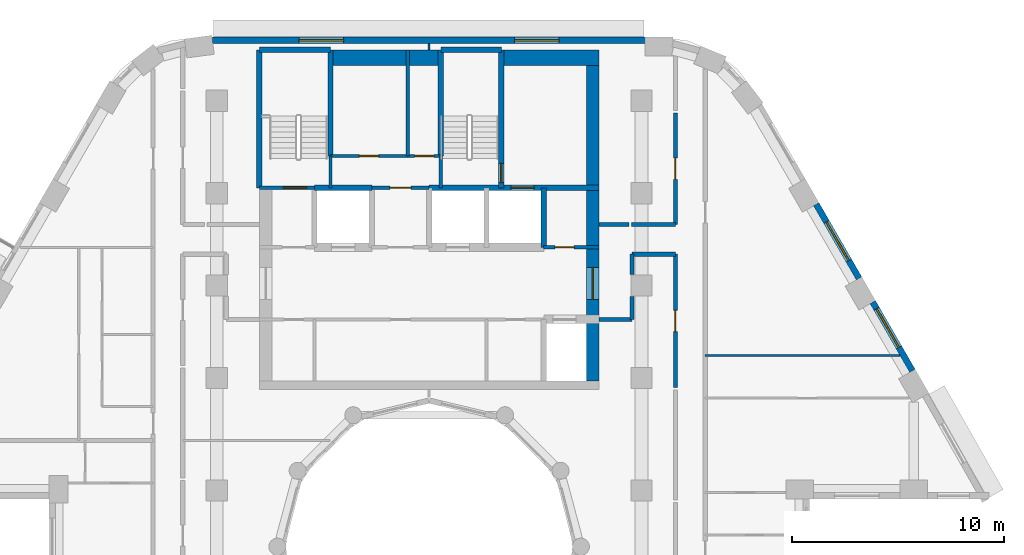
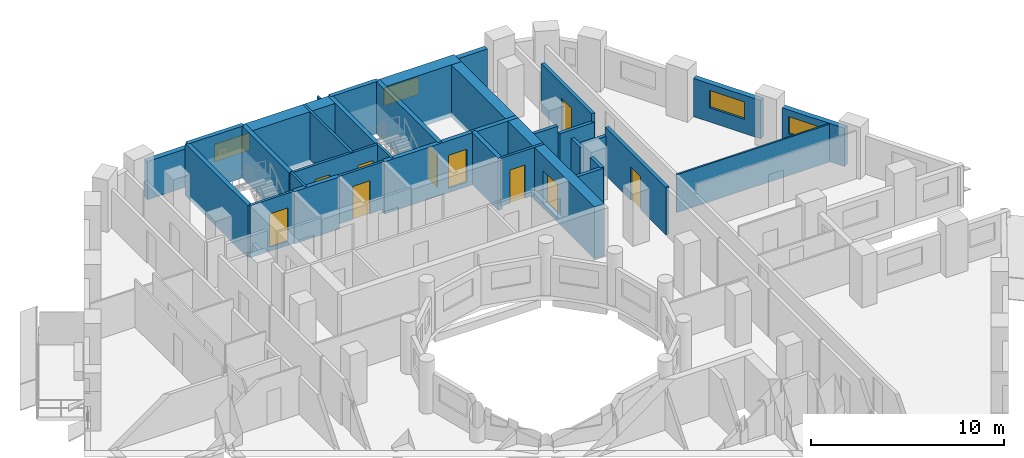
# One storey, part 8 of 13: 32 walls, 10 doors, 4 windows, 14 openings.
"""IFC4 building model written with IfcOpenShell, lengths in metres."""

from ifc_helpers import new_model, si_unit, direction, frame, frame_2d, origin, place, context, subcontext, project, spatial, rectangle, extrude, material, layer, layer_set, type_object, element, fill, save


model = new_model("IFC4")

# Units and contexts
model_context = context("Model", 3, precision=1e-05, world=origin(), true_north=direction((0.0, 1.0)))
body_context = subcontext(model_context, "Body", "Model", "MODEL_VIEW")
ifc_project = project(units=[si_unit("LENGTHUNIT", "METRE"), si_unit("AREAUNIT", "SQUARE_METRE"), si_unit("VOLUMEUNIT", "CUBIC_METRE"), si_unit("PLANEANGLEUNIT", "RADIAN"), si_unit("MASSUNIT", "GRAM", prefix="KILO")], contexts=[model_context])

# Site, building, storey
site_placement = place(None, origin())
site = spatial("IfcSite", under=ifc_project, at=site_placement, CompositionType="ELEMENT")
building_placement = place(site_placement, origin())
building = spatial("IfcBuilding", under=site, at=building_placement, Name="Nakaniwa Court", CompositionType="ELEMENT")
storey_placement = place(building_placement, frame((0.0, 0.0, 156.89990234375)))
storey = spatial("IfcBuildingStorey", under=building, at=storey_placement, Name="L41", CompositionType="ELEMENT", Elevation=156.89990234375)

# Wall, opening, door
ifc_material_1 = material(Name="Acoustic double stud partition")
ifc_layer_1 = layer(ifc_material_1, 0.199951171875)
ifc_layer_set_1 = layer_set([ifc_layer_1], Name="Acoustic double stud partition")
wall_type_1 = type_object("IfcWallType", Name="Acoustic double stud partition 200", PredefinedType="PARTITIONING", material=ifc_layer_set_1)
wall_1_placement = place(storey_placement, frame((91.60009765625, 87.4873046875, 0.0), z_axis=(0.0, 0.0, 1.0), x_axis=(0.0, 1.0, 0.0)))
wall_1 = element("IfcWall", 1, at=wall_1_placement, inside=storey, type_object=wall_type_1, Name="Partition PW-073", PredefinedType="PARTITIONING", context=body_context, shape_type="SweptSolid", body=[
    extrude(rectangle(XDim=6.28759765625, YDim=0.199951171875, at=frame_2d((3.143798828125, 0.0))), origin(), (0.0, 0.0, 1.0), 3.025146484375),
])
opening_1_placement = place(wall_1_placement, frame((2.64501953125, 0.0, 0.0)))
opening_1 = element("IfcOpeningElement", 2, at=opening_1_placement, cuts=wall_1, Name="Opening D-02-11", PredefinedType="OPENING", context=body_context, shape_type="SweptSolid", body=[
    extrude(rectangle(XDim=1.0, YDim=2.10009765625, at=frame_2d((0.5, 1.050048828125))), frame((0.0, 0.10986328125, 0.0), z_axis=(0.0, -1.0, 0.0), x_axis=(1.0, 0.0, 0.0)), (0.0, 0.0, 1.0), 0.219970703125),
])
ifc_material_2 = material(Name="Solid core timber door set, black veneer", Category="wood")
door_type_1 = type_object("IfcDoorType", Name="Internal door 1000", OperationType="NOTDEFINED", PredefinedType="DOOR", material=ifc_material_2)
door_1_placement = place(opening_1_placement, origin())
door_1 = element("IfcDoor", 3, at=door_1_placement, inside=storey, type_object=door_type_1, Name="Door D-02-11 L41-046", OperationType="SINGLE_SWING_LEFT", OverallHeight=2.10009765625, OverallWidth=1.0, PredefinedType="DOOR", context=body_context, shape_type="SweptSolid", body=[
    extrude(rectangle(XDim=1.0, YDim=2.10009765625, at=frame_2d((0.5, 1.050048828125))), frame((0.0, 0.02490234375, 0.0), z_axis=(0.0, -1.0, 0.0), x_axis=(1.0, 0.0, 0.0)), (0.0, 0.0, 1.0), 0.050048828125),
])
fill(opening_1, door_1)

wall_2_placement = place(storey_placement, frame((91.60009765625, 95.175048828125, 0.0), z_axis=(0.0, 0.0, 1.0), x_axis=(0.0, 1.0, 0.0)))
wall_2 = element("IfcWall", 4, at=wall_2_placement, inside=storey, type_object=wall_type_1, Name="Partition PW-074", PredefinedType="PARTITIONING", context=body_context, shape_type="SweptSolid", body=[
    extrude(rectangle(XDim=5.247802734375, YDim=0.199951171875, at=frame_2d((2.6240234375, 0.0))), origin(), (0.0, 0.0, 1.0), 3.025146484375),
])
opening_2_placement = place(wall_2_placement, frame((2.123046875, 0.0, 0.0)))
opening_2 = element("IfcOpeningElement", 5, at=opening_2_placement, cuts=wall_2, Name="Opening D-02-12", PredefinedType="OPENING", context=body_context, shape_type="SweptSolid", body=[
    extrude(rectangle(XDim=1.0, YDim=2.10009765625, at=frame_2d((0.5, 1.050048828125))), frame((0.0, 0.10986328125, 0.0), z_axis=(0.0, -1.0, 0.0), x_axis=(1.0, 0.0, 0.0)), (0.0, 0.0, 1.0), 0.219970703125),
])
door_2_placement = place(opening_2_placement, origin())
door_2 = element("IfcDoor", 6, at=door_2_placement, inside=storey, type_object=door_type_1, Name="Door D-02-12 L41-047", OperationType="SINGLE_SWING_RIGHT", OverallHeight=2.10009765625, OverallWidth=1.0, PredefinedType="DOOR", context=body_context, shape_type="SweptSolid", body=[
    extrude(rectangle(XDim=1.0, YDim=2.10009765625, at=frame_2d((0.5, 1.050048828125))), frame((0.0, 0.02490234375, 0.0), z_axis=(0.0, -1.0, 0.0), x_axis=(1.0, 0.0, 0.0)), (0.0, 0.0, 1.0), 0.050048828125),
])
fill(opening_2, door_2)

# Walls
wall_3_placement = place(storey_placement, frame((89.550048828125, 90.699951171875, 0.0), z_axis=(0.0, 0.0, 1.0), x_axis=(0.0, 1.0, 0.0)))
element("IfcWall", 7, at=wall_3_placement, inside=storey, type_object=wall_type_1, Name="Partition PW-085", PredefinedType="PARTITIONING", context=body_context, shape_type="SweptSolid", body=[
    extrude(rectangle(XDim=1.082763671875, YDim=0.199951171875, at=frame_2d((0.54150390625, 0.0))), origin(), (0.0, 0.0, 1.0), 3.025146484375),
])
wall_4_placement = place(storey_placement, frame((89.550048828125, 92.817138671875, 0.0), z_axis=(0.0, 0.0, 1.0), x_axis=(0.0, 1.0, 0.0)))
element("IfcWall", 8, at=wall_4_placement, inside=storey, type_object=wall_type_1, Name="Partition PW-086", PredefinedType="PARTITIONING", context=body_context, shape_type="SweptSolid", body=[
    extrude(rectangle(XDim=0.957763671875, YDim=0.199951171875, at=frame_2d((0.47900390625, 0.0))), origin(), (0.0, 0.0, 1.0), 3.025146484375),
])
wall_5_placement = place(storey_placement, frame((89.550048828125, 93.77490234375, 0.0), z_axis=(0.0, 0.0, 1.0), x_axis=(1.0, 0.0, 0.0)))
element("IfcWall", 9, at=wall_5_placement, inside=storey, type_object=wall_type_1, Name="Partition PW-090", PredefinedType="PARTITIONING", context=body_context, shape_type="SweptSolid", body=[
    extrude(rectangle(XDim=2.050048828125, YDim=0.199951171875, at=frame_2d((1.02490234375, 0.0))), origin(), (0.0, 0.0, 1.0), 2.505126953125),
])
wall_6_placement = place(storey_placement, frame((88.0, 90.699951171875, 0.0), z_axis=(0.0, 0.0, 1.0), x_axis=(1.0, 0.0, 0.0)))
element("IfcWall", 10, at=wall_6_placement, inside=storey, type_object=wall_type_1, Name="Partition PW-092", PredefinedType="PARTITIONING", context=body_context, shape_type="SweptSolid", body=[
    extrude(rectangle(XDim=1.550048828125, YDim=0.199951171875, at=frame_2d((0.77490234375, 0.0))), origin(), (0.0, 0.0, 1.0), 3.025146484375),
])
wall_7_placement = place(storey_placement, frame((88.0, 95.175048828125, 0.0), z_axis=(0.0, 0.0, 1.0), x_axis=(1.0, 0.0, 0.0)))
element("IfcWall", 11, at=wall_7_placement, inside=storey, type_object=wall_type_1, Name="Partition PW-095", PredefinedType="PARTITIONING", context=body_context, shape_type="SweptSolid", body=[
    extrude(rectangle(XDim=1.4228515625, YDim=0.199951171875, at=frame_2d((0.71142578125, 0.0))), origin(), (0.0, 0.0, 1.0), 3.025146484375),
])
wall_8_placement = place(storey_placement, frame((89.537109375, 95.175048828125, 0.0), z_axis=(0.0, 0.0, 1.0), x_axis=(1.0, 0.0, 0.0)))
element("IfcWall", 12, at=wall_8_placement, inside=storey, type_object=wall_type_1, Name="Partition PW-096", PredefinedType="PARTITIONING", context=body_context, shape_type="SweptSolid", body=[
    extrude(rectangle(XDim=2.06298828125, YDim=0.199951171875, at=frame_2d((1.031494140625, 0.0))), origin(), (0.0, 0.0, 1.0), 2.505126953125),
])

# Wall, opening, window
ifc_material_3 = material(Name="Charcoal ceramic cladding")
ifc_layer_2 = layer(ifc_material_3, 0.02, Name="Ceramic cladding")
ifc_material_4 = material(Name="Ventilated air cavity")
ifc_layer_3 = layer(ifc_material_4, 0.04, ventilated=True, Name="Ventilated cavity")
ifc_material_5 = material(Name="Mineral wool insulation")
ifc_layer_4 = layer(ifc_material_5, 0.1, Name="Insulation")
ifc_material_6 = material(Name="Cement bonded sheathing board")
ifc_layer_5 = layer(ifc_material_6, 0.012, Name="Sheathing")
ifc_material_7 = material(Name="Cold-formed galvanised stud frame with mineral wool infill")
ifc_layer_6 = layer(ifc_material_7, 0.1, Name="Stud frame")
ifc_material_8 = material(Name="Fire-rated gypsum plasterboard lining")
ifc_layer_7 = layer(ifc_material_8, 0.028, Name="Lining")
ifc_layer_set_2 = layer_set([ifc_layer_2, ifc_layer_3, ifc_layer_4, ifc_layer_5, ifc_layer_6, ifc_layer_7], Name="Charcoal ceramic faced external wall system")
wall_type_2 = type_object("IfcWallType", Name="Black ceramic faced external wall 300", PredefinedType="SOLIDWALL", material=ifc_layer_set_2)
wall_9_placement = place(storey_placement, frame((102.759521484375, 88.279052734375, 0.0), z_axis=(0.0, 0.0, 1.0), x_axis=(-0.499933594891, 0.866063739398, 0.0)))
wall_9 = element("IfcWall", 13, at=wall_9_placement, inside=storey, type_object=wall_type_2, Name="L41 external wall 03", PredefinedType="SOLIDWALL", context=body_context, shape_type="SweptSolid", body=[
    extrude(rectangle(XDim=3.73681640625, YDim=0.300048828125, at=frame_2d((1.868408203125, 0.0))), origin(), (0.0, 0.0, 1.0), 2.425048828125),
])
opening_3_placement = place(wall_9_placement, frame((1.271728515625, 0.0, 0.89990234375)))
opening_3 = element("IfcOpeningElement", 14, at=opening_3_placement, cuts=wall_9, Name="Opening W7.04", PredefinedType="OPENING", context=body_context, shape_type="SweptSolid", body=[
    extrude(rectangle(XDim=2.10009765625, YDim=1.10009765625, at=frame_2d((1.050048828125, 0.550048828125))), frame((0.0, 0.159912109375, 0.0), z_axis=(0.0, -1.0, 0.0), x_axis=(1.0, 0.0, 0.0)), (0.0, 0.0, 1.0), 0.320068359375),
])
ifc_material_9 = material(Name="Black anodised aluminium frame with dark low-E laminated double glazing", Category="aluminium")
window_type = type_object("IfcWindowType", Name="Dark glass window 2100x1100 sill 900", PartitioningType="SINGLE_PANEL", PredefinedType="WINDOW", material=ifc_material_9)
window_1_placement = place(opening_3_placement, origin())
window_1 = element("IfcWindow", 15, at=window_1_placement, inside=storey, type_object=window_type, Name="L41 habitable room window 03-1", OverallHeight=1.10009765625, OverallWidth=2.10009765625, PartitioningType="SINGLE_PANEL", PredefinedType="WINDOW", context=body_context, shape_type="SweptSolid", body=[
    extrude(rectangle(XDim=2.10009765625, YDim=1.10009765625, at=frame_2d((1.050048828125, 0.550048828125))), frame((0.0, 0.030029296875, 0.0), z_axis=(0.0, -1.0, 0.0), x_axis=(1.0, 0.0, 0.0)), (0.0, 0.0, 1.0), 0.06005859375),
])
fill(opening_3, window_1)

wall_10_placement = place(storey_placement, frame((100.245361328125, 92.63427734375, 0.0), z_axis=(0.0, 0.0, 1.0), x_axis=(-0.500031546601, 0.86600718958, 0.0)))
wall_10 = element("IfcWall", 16, at=wall_10_placement, inside=storey, type_object=wall_type_2, Name="L41 external wall 04", PredefinedType="SOLIDWALL", context=body_context, shape_type="SweptSolid", body=[
    extrude(rectangle(XDim=4.033935546875, YDim=0.300048828125, at=frame_2d((2.01708984375, 0.0))), origin(), (0.0, 0.0, 1.0), 2.425048828125),
])
opening_4_placement = place(wall_10_placement, frame((0.966796875, 0.0, 0.89990234375)))
opening_4 = element("IfcOpeningElement", 17, at=opening_4_placement, cuts=wall_10, Name="Opening W7.05", PredefinedType="OPENING", context=body_context, shape_type="SweptSolid", body=[
    extrude(rectangle(XDim=2.10009765625, YDim=1.10009765625, at=frame_2d((1.050048828125, 0.550048828125))), frame((0.0, 0.159912109375, 0.0), z_axis=(0.0, -1.0, 0.0), x_axis=(1.0, 0.0, 0.0)), (0.0, 0.0, 1.0), 0.320068359375),
])
window_2_placement = place(opening_4_placement, origin())
window_2 = element("IfcWindow", 18, at=window_2_placement, inside=storey, type_object=window_type, Name="L41 habitable room window 04-0", OverallHeight=1.10009765625, OverallWidth=2.10009765625, PartitioningType="SINGLE_PANEL", PredefinedType="WINDOW", context=body_context, shape_type="SweptSolid", body=[
    extrude(rectangle(XDim=2.10009765625, YDim=1.10009765625, at=frame_2d((1.050048828125, 0.550048828125))), frame((0.0, 0.030029296875, 0.0), z_axis=(0.0, -1.0, 0.0), x_axis=(1.0, 0.0, 0.0)), (0.0, 0.0, 1.0), 0.06005859375),
])
fill(opening_4, window_2)

# Wall, openings, windows
wall_11_placement = place(storey_placement, frame((90.1787109375, 103.85009765625, 0.0), z_axis=(0.0, 0.0, 1.0), x_axis=(-1.0, 0.0, 0.0)))
wall_11 = element("IfcWall", 19, at=wall_11_placement, inside=storey, type_object=wall_type_2, Name="L41 external wall 08", PredefinedType="SOLIDWALL", context=body_context, shape_type="SweptSolid", body=[
    extrude(rectangle(XDim=20.391357421875, YDim=0.300048828125, at=frame_2d((10.19580078125, 0.0))), origin(), (0.0, 0.0, 1.0), 2.425048828125),
])
opening_5_placement = place(wall_11_placement, frame((4.05126953125, 0.0, 0.89990234375)))
opening_5 = element("IfcOpeningElement", 20, at=opening_5_placement, cuts=wall_11, Name="Opening W7.08", PredefinedType="OPENING", context=body_context, shape_type="SweptSolid", body=[
    extrude(rectangle(XDim=2.10009765625, YDim=1.10009765625, at=frame_2d((1.050048828125, 0.550048828125))), frame((0.0, 0.159912109375, 0.0), z_axis=(0.0, -1.0, 0.0), x_axis=(1.0, 0.0, 0.0)), (0.0, 0.0, 1.0), 0.320068359375),
])
opening_6_placement = place(wall_11_placement, frame((14.211669921875, 0.0, 0.89990234375)))
opening_6 = element("IfcOpeningElement", 21, at=opening_6_placement, cuts=wall_11, Name="Opening W7.09", PredefinedType="OPENING", context=body_context, shape_type="SweptSolid", body=[
    extrude(rectangle(XDim=2.10009765625, YDim=1.10009765625, at=frame_2d((1.050048828125, 0.550048828125))), frame((0.0, 0.159912109375, 0.0), z_axis=(0.0, -1.0, 0.0), x_axis=(1.0, 0.0, 0.0)), (0.0, 0.0, 1.0), 0.320068359375),
])
window_3_placement = place(opening_5_placement, origin())
window_3 = element("IfcWindow", 22, at=window_3_placement, inside=storey, type_object=window_type, Name="L41 habitable room window 08-0", OverallHeight=1.10009765625, OverallWidth=2.10009765625, PartitioningType="SINGLE_PANEL", PredefinedType="WINDOW", context=body_context, shape_type="SweptSolid", body=[
    extrude(rectangle(XDim=2.10009765625, YDim=1.10009765625, at=frame_2d((1.050048828125, 0.550048828125))), frame((0.0, 0.030029296875, 0.0), z_axis=(0.0, -1.0, 0.0), x_axis=(1.0, 0.0, 0.0)), (0.0, 0.0, 1.0), 0.06005859375),
])
fill(opening_5, window_3)
window_4_placement = place(opening_6_placement, origin())
window_4 = element("IfcWindow", 23, at=window_4_placement, inside=storey, type_object=window_type, Name="L41 habitable room window 08-1", OverallHeight=1.10009765625, OverallWidth=2.10009765625, PartitioningType="SINGLE_PANEL", PredefinedType="WINDOW", context=body_context, shape_type="SweptSolid", body=[
    extrude(rectangle(XDim=2.10009765625, YDim=1.10009765625, at=frame_2d((1.050048828125, 0.550048828125))), frame((0.0, 0.030029296875, 0.0), z_axis=(0.0, -1.0, 0.0), x_axis=(1.0, 0.0, 0.0)), (0.0, 0.0, 1.0), 0.06005859375),
])
fill(opening_6, window_4)

# Wall, opening, door
ifc_material_10 = material(Name="Blockwork partition", Category="masonry")
ifc_layer_8 = layer(ifc_material_10, 0.14990234375)
ifc_layer_set_3 = layer_set([ifc_layer_8], Name="Blockwork partition")
wall_type_3 = type_object("IfcWallType", Name="Blockwork partition 150", PredefinedType="PARTITIONING", material=ifc_layer_set_3)
wall_12_placement = place(storey_placement, frame((85.39697265625, 94.10009765625, 0.0), z_axis=(0.0, 0.0, 1.0), x_axis=(1.0, 0.0, 0.0)))
wall_12 = element("IfcWall", 24, at=wall_12_placement, inside=storey, type_object=wall_type_3, Name="Partition PW-011", PredefinedType="PARTITIONING", context=body_context, shape_type="SweptSolid", body=[
    extrude(rectangle(XDim=2.60302734375, YDim=0.14990234375, at=frame_2d((1.301513671875, 0.0))), origin(), (0.0, 0.0, 1.0), 3.025146484375),
])
opening_7_placement = place(wall_12_placement, frame((0.528076171875, 0.0, 0.0)))
opening_7 = element("IfcOpeningElement", 25, at=opening_7_placement, cuts=wall_12, Name="Opening D-05-04", PredefinedType="OPENING", context=body_context, shape_type="SweptSolid", body=[
    extrude(rectangle(XDim=0.89990234375, YDim=2.10009765625, at=frame_2d((0.449951171875, 1.050048828125))), frame((0.0, 0.0849609375, 0.0), z_axis=(0.0, -1.0, 0.0), x_axis=(1.0, 0.0, 0.0)), (0.0, 0.0, 1.0), 0.169921875),
])
ifc_material_11 = material(Name="Fire rated steel door set", Category="steel")
door_type_2 = type_object("IfcDoorType", Name="Service room door 900", OperationType="NOTDEFINED", PredefinedType="DOOR", material=ifc_material_11)
door_3_placement = place(opening_7_placement, origin())
door_3 = element("IfcDoor", 26, at=door_3_placement, inside=storey, type_object=door_type_2, Name="Door D-05-04 L41-006", OperationType="SINGLE_SWING_LEFT", OverallHeight=2.10009765625, OverallWidth=0.89990234375, PredefinedType="DOOR", context=body_context, shape_type="SweptSolid", body=[
    extrude(rectangle(XDim=0.89990234375, YDim=2.10009765625, at=frame_2d((0.449951171875, 1.050048828125))), frame((0.0, 0.02490234375, 0.0), z_axis=(0.0, -1.0, 0.0), x_axis=(1.0, 0.0, 0.0)), (0.0, 0.0, 1.0), 0.050048828125),
])
fill(opening_7, door_3)

wall_13_placement = place(storey_placement, frame((77.300048828125, 96.89990234375, 0.0), z_axis=(0.0, 0.0, 1.0), x_axis=(1.0, 0.0, 0.0)))
wall_13 = element("IfcWall", 27, at=wall_13_placement, inside=storey, type_object=wall_type_3, Name="Partition PW-020", PredefinedType="PARTITIONING", context=body_context, shape_type="SweptSolid", body=[
    extrude(rectangle(XDim=2.699951171875, YDim=0.14990234375, at=frame_2d((1.35009765625, 0.0))), origin(), (0.0, 0.0, 1.0), 3.025146484375),
])
opening_8_placement = place(wall_13_placement, frame((0.85009765625, 0.0, 0.0)))
opening_8 = element("IfcOpeningElement", 28, at=opening_8_placement, cuts=wall_13, Name="Opening D-23-01", PredefinedType="OPENING", context=body_context, shape_type="SweptSolid", body=[
    extrude(rectangle(XDim=1.0, YDim=2.10009765625, at=frame_2d((0.5, 1.050048828125))), frame((0.0, 0.0849609375, 0.0), z_axis=(0.0, -1.0, 0.0), x_axis=(1.0, 0.0, 0.0)), (0.0, 0.0, 1.0), 0.169921875),
])
door_type_3 = type_object("IfcDoorType", Name="Service room door 1000", OperationType="NOTDEFINED", PredefinedType="DOOR", material=ifc_material_11)
door_4_placement = place(opening_8_placement, origin())
door_4 = element("IfcDoor", 29, at=door_4_placement, inside=storey, type_object=door_type_3, Name="Door D-23-01 L41-007", OperationType="SINGLE_SWING_RIGHT", OverallHeight=2.10009765625, OverallWidth=1.0, PredefinedType="DOOR", context=body_context, shape_type="SweptSolid", body=[
    extrude(rectangle(XDim=1.0, YDim=2.10009765625, at=frame_2d((0.5, 1.050048828125))), frame((0.0, 0.02490234375, 0.0), z_axis=(0.0, -1.0, 0.0), x_axis=(1.0, 0.0, 0.0)), (0.0, 0.0, 1.0), 0.050048828125),
])
fill(opening_8, door_4)

# Wall, openings, doors
wall_14_placement = place(storey_placement, frame((75.35009765625, 98.39990234375, 0.0), z_axis=(0.0, 0.0, 1.0), x_axis=(1.0, 0.0, 0.0)))
wall_14 = element("IfcWall", 30, at=wall_14_placement, inside=storey, type_object=wall_type_3, Name="Partition PW-032", PredefinedType="PARTITIONING", context=body_context, shape_type="SweptSolid", body=[
    extrude(rectangle(XDim=5.199951171875, YDim=0.14990234375, at=frame_2d((2.60009765625, 0.0))), origin(), (0.0, 0.0, 1.0), 3.025146484375),
])
opening_9_placement = place(wall_14_placement, frame((1.3701171875, 0.0, 0.0)))
opening_9 = element("IfcOpeningElement", 31, at=opening_9_placement, cuts=wall_14, Name="Opening D-05-05", PredefinedType="OPENING", context=body_context, shape_type="SweptSolid", body=[
    extrude(rectangle(XDim=0.89990234375, YDim=2.10009765625, at=frame_2d((0.449951171875, 1.050048828125))), frame((0.0, 0.0849609375, 0.0), z_axis=(0.0, -1.0, 0.0), x_axis=(1.0, 0.0, 0.0)), (0.0, 0.0, 1.0), 0.169921875),
])
opening_10_placement = place(wall_14_placement, frame((3.969970703125, 0.0, 0.0)))
opening_10 = element("IfcOpeningElement", 32, at=opening_10_placement, cuts=wall_14, Name="Opening D-05-06", PredefinedType="OPENING", context=body_context, shape_type="SweptSolid", body=[
    extrude(rectangle(XDim=0.89990234375, YDim=2.10009765625, at=frame_2d((0.449951171875, 1.050048828125))), frame((0.0, 0.0849609375, 0.0), z_axis=(0.0, -1.0, 0.0), x_axis=(1.0, 0.0, 0.0)), (0.0, 0.0, 1.0), 0.169921875),
])
door_5_placement = place(opening_9_placement, origin())
door_5 = element("IfcDoor", 33, at=door_5_placement, inside=storey, type_object=door_type_2, Name="Door D-05-05 L41-008", OperationType="SINGLE_SWING_LEFT", OverallHeight=2.10009765625, OverallWidth=0.89990234375, PredefinedType="DOOR", context=body_context, shape_type="SweptSolid", body=[
    extrude(rectangle(XDim=0.89990234375, YDim=2.10009765625, at=frame_2d((0.449951171875, 1.050048828125))), frame((0.0, 0.02490234375, 0.0), z_axis=(0.0, -1.0, 0.0), x_axis=(1.0, 0.0, 0.0)), (0.0, 0.0, 1.0), 0.050048828125),
])
fill(opening_9, door_5)
door_6_placement = place(opening_10_placement, origin())
door_6 = element("IfcDoor", 34, at=door_6_placement, inside=storey, type_object=door_type_2, Name="Door D-05-06 L41-009", OperationType="SINGLE_SWING_RIGHT", OverallHeight=2.10009765625, OverallWidth=0.89990234375, PredefinedType="DOOR", context=body_context, shape_type="SweptSolid", body=[
    extrude(rectangle(XDim=0.89990234375, YDim=2.10009765625, at=frame_2d((0.449951171875, 1.050048828125))), frame((0.0, 0.02490234375, 0.0), z_axis=(0.0, -1.0, 0.0), x_axis=(1.0, 0.0, 0.0)), (0.0, 0.0, 1.0), 0.050048828125),
])
fill(opening_10, door_6)

# Wall
wall_15_placement = place(storey_placement, frame((78.989990234375, 98.39990234375, 0.0), z_axis=(0.0, 0.0, 1.0), x_axis=(0.0, 1.0, 0.0)))
element("IfcWall", 35, at=wall_15_placement, inside=storey, type_object=wall_type_3, Name="Partition PW-033", PredefinedType="PARTITIONING", context=body_context, shape_type="SweptSolid", body=[
    extrude(rectangle(XDim=5.0, YDim=0.14990234375, at=frame_2d((2.5, 0.0))), origin(), (0.0, 0.0, 1.0), 3.025146484375),
])

# Wall, opening, door
ifc_material_12 = material(Name="Concrete C80/100", Category="concrete")
ifc_layer_9 = layer(ifc_material_12, 0.60009765625)
ifc_layer_set_4 = layer_set([ifc_layer_9], Name="Concrete C80/100")
wall_type_4 = type_object("IfcWallType", Name="Concrete core side wall 600 C80", PredefinedType="SHEAR", material=ifc_layer_set_4)
wall_16_placement = place(storey_placement, frame((87.699951171875, 103.39990234375, -0.27490234375), z_axis=(0.0, 0.0, 1.0), x_axis=(0.0, -1.0, 0.0)))
wall_16 = element("IfcWall", 36, at=wall_16_placement, inside=storey, type_object=wall_type_4, Name="Core wall SW-07", PredefinedType="SHEAR", context=body_context, shape_type="SweptSolid", body=[
    extrude(rectangle(XDim=15.599853515625, YDim=0.60009765625, at=frame_2d((7.7998046875, 0.0))), origin(), (0.0, 0.0, 1.0), 3.300048828125),
])
opening_11_placement = place(wall_16_placement, frame((10.248046875, 0.0, 0.27490234375)))
opening_11 = element("IfcOpeningElement", 37, at=opening_11_placement, cuts=wall_16, Name="Opening D-07-01", PredefinedType="OPENING", context=body_context, shape_type="SweptSolid", body=[
    extrude(rectangle(XDim=1.5, YDim=2.10009765625, at=frame_2d((0.75, 1.050048828125))), frame((0.0, 0.31005859375, 0.0), z_axis=(0.0, -1.0, 0.0), x_axis=(1.0, 0.0, 0.0)), (0.0, 0.0, 1.0), 0.6201171875),
])
ifc_material_13 = material(Name="Glazed fire rated steel double door set", Category="steel")
door_type_4 = type_object("IfcDoorType", Name="Lobby double door 1500", OperationType="NOTDEFINED", PredefinedType="DOOR", material=ifc_material_13)
door_7_placement = place(opening_11_placement, origin())
door_7 = element("IfcDoor", 38, at=door_7_placement, inside=storey, type_object=door_type_4, Name="Door D-07-01 L41-049", OperationType="DOUBLE_DOOR_SINGLE_SWING", OverallHeight=2.10009765625, OverallWidth=1.5, PredefinedType="DOOR", context=body_context, shape_type="SweptSolid", body=[
    extrude(rectangle(XDim=1.5, YDim=2.10009765625, at=frame_2d((0.75, 1.050048828125))), frame((0.0, 0.02490234375, 0.0), z_axis=(0.0, -1.0, 0.0), x_axis=(1.0, 0.0, 0.0)), (0.0, 0.0, 1.0), 0.050048828125),
])
fill(opening_11, door_7)

ifc_layer_10 = layer(ifc_material_12, 0.14990234375)
ifc_layer_set_5 = layer_set([ifc_layer_10], Name="Concrete C80/100")
wall_type_5 = type_object("IfcWallType", Name="Concrete core wall 150 C80", PredefinedType="SHEAR", material=ifc_layer_set_5)
wall_17_placement = place(storey_placement, frame((74.60009765625, 96.89990234375, -0.27490234375), z_axis=(0.0, 0.0, 1.0), x_axis=(-1.0, 0.0, 0.0)))
wall_17 = element("IfcWall", 39, at=wall_17_placement, inside=storey, type_object=wall_type_5, Name="Core wall SW-15", PredefinedType="SHEAR", context=body_context, shape_type="SweptSolid", body=[
    extrude(rectangle(XDim=2.60009765625, YDim=0.14990234375, at=frame_2d((1.300048828125, 0.0))), origin(), (0.0, 0.0, 1.0), 3.300048828125),
])
opening_12_placement = place(wall_17_placement, frame((0.3701171875, 0.0, 0.27490234375)))
opening_12 = element("IfcOpeningElement", 40, at=opening_12_placement, cuts=wall_17, Name="Opening D-09-01", PredefinedType="OPENING", context=body_context, shape_type="SweptSolid", body=[
    extrude(rectangle(XDim=1.10009765625, YDim=2.10009765625, at=frame_2d((0.550048828125, 1.050048828125))), frame((0.0, 0.0849609375, 0.0), z_axis=(0.0, -1.0, 0.0), x_axis=(1.0, 0.0, 0.0)), (0.0, 0.0, 1.0), 0.169921875),
])
door_type_5 = type_object("IfcDoorType", Name="Stair door 1100", OperationType="NOTDEFINED", PredefinedType="DOOR", material=ifc_material_11)
door_8_placement = place(opening_12_placement, origin())
door_8 = element("IfcDoor", 41, at=door_8_placement, inside=storey, type_object=door_type_5, Name="Door D-09-01 L41-010", OperationType="SINGLE_SWING_RIGHT", OverallHeight=2.10009765625, OverallWidth=1.10009765625, PredefinedType="DOOR", context=body_context, shape_type="SweptSolid", body=[
    extrude(rectangle(XDim=1.10009765625, YDim=2.10009765625, at=frame_2d((0.550048828125, 1.050048828125))), frame((0.0, 0.02490234375, 0.0), z_axis=(0.0, -1.0, 0.0), x_axis=(1.0, 0.0, 0.0)), (0.0, 0.0, 1.0), 0.050048828125),
])
fill(opening_12, door_8)

# Walls
for number, where, z_axis, x_axis, name in (
    (42, (75.35009765625, 96.89990234375, -0.27490234375), (0.0, 0.0, 1.0), (0.0, 1.0, 0.0), "Core wall SW-22"),
    (43, (80.550048828125, 96.89990234375, -0.27490234375), (0.0, 0.0, 1.0), (0.0, 1.0, 0.0), "Core wall SW-28"),
):
    element("IfcWall", number, at=place(storey_placement, frame(where, z_axis=z_axis, x_axis=x_axis)), inside=storey, type_object=wall_type_5, Name=name, PredefinedType="SHEAR", context=body_context, shape_type="SweptSolid", body=[
        extrude(rectangle(XDim=1.503173828125, YDim=0.14990234375, at=frame_2d((0.75146484375, 0.0))), origin(), (0.0, 0.0, 1.0), 3.300048828125),
    ])
ifc_layer_11 = layer(ifc_material_12, 0.25)
ifc_layer_set_6 = layer_set([ifc_layer_11], Name="Concrete C80/100")
wall_type_6 = type_object("IfcWallType", Name="Concrete core wall 250 C80", PredefinedType="SHEAR", material=ifc_layer_set_6)
wall_18_placement = place(storey_placement, frame((72.0, 103.39990234375, -0.27490234375), z_axis=(0.0, 0.0, 1.0), x_axis=(1.0, 0.0, 0.0)))
element("IfcWall", 44, at=wall_18_placement, inside=storey, type_object=wall_type_6, Name="Core wall SW-24", PredefinedType="SHEAR", context=body_context, shape_type="SweptSolid", body=[
    extrude(rectangle(XDim=3.35009765625, YDim=0.25, at=frame_2d((1.675048828125, 0.0))), origin(), (0.0, 0.0, 1.0), 3.300048828125),
])
wall_19_placement = place(storey_placement, frame((80.550048828125, 103.39990234375, -0.27490234375), z_axis=(0.0, 0.0, 1.0), x_axis=(1.0, 0.0, 0.0)))
element("IfcWall", 45, at=wall_19_placement, inside=storey, type_object=wall_type_6, Name="Core wall SW-25", PredefinedType="SHEAR", context=body_context, shape_type="SweptSolid", body=[
    extrude(rectangle(XDim=2.849853515625, YDim=0.25, at=frame_2d((1.4248046875, 0.0))), origin(), (0.0, 0.0, 1.0), 3.300048828125),
])
wall_20_placement = place(storey_placement, frame((72.0, 96.89990234375, -0.27490234375), z_axis=(0.0, 0.0, 1.0), x_axis=(0.0, 1.0, 0.0)))
element("IfcWall", 46, at=wall_20_placement, inside=storey, type_object=wall_type_6, Name="Core wall SW-26", PredefinedType="SHEAR", context=body_context, shape_type="SweptSolid", body=[
    extrude(rectangle(XDim=6.5, YDim=0.25, at=frame_2d((3.25, 0.0))), origin(), (0.0, 0.0, 1.0), 3.300048828125),
])
ifc_layer_12 = layer(ifc_material_12, 0.75)
ifc_layer_set_7 = layer_set([ifc_layer_12], Name="Concrete C80/100")
wall_type_7 = type_object("IfcWallType", Name="Concrete core wall 750 C80", PredefinedType="SHEAR", material=ifc_layer_set_7)
wall_21_placement = place(storey_placement, frame((75.35009765625, 103.02490234375, -0.27490234375), z_axis=(0.0, 0.0, 1.0), x_axis=(1.0, 0.0, 0.0)))
element("IfcWall", 47, at=wall_21_placement, inside=storey, type_object=wall_type_7, Name="Core wall SW-30", PredefinedType="SHEAR", context=body_context, shape_type="SweptSolid", body=[
    extrude(rectangle(XDim=5.199951171875, YDim=0.75, at=frame_2d((2.60009765625, 0.0))), origin(), (0.0, 0.0, 1.0), 3.300048828125),
])
wall_22_placement = place(storey_placement, frame((83.39990234375, 103.02490234375, -0.27490234375), z_axis=(0.0, 0.0, 1.0), x_axis=(1.0, 0.0, 0.0)))
element("IfcWall", 48, at=wall_22_placement, inside=storey, type_object=wall_type_7, Name="Core wall SW-31", PredefinedType="SHEAR", context=body_context, shape_type="SweptSolid", body=[
    extrude(rectangle(XDim=4.60009765625, YDim=0.75, at=frame_2d((2.300048828125, 0.0))), origin(), (0.0, 0.0, 1.0), 3.300048828125),
])
ifc_layer_13 = layer(ifc_material_12, 0.25)
ifc_layer_set_8 = layer_set([ifc_layer_13], Name="Concrete C80/100")
wall_type_8 = type_object("IfcWallType", Name="Concrete shaft wall 250 C80", PredefinedType="SHEAR", material=ifc_layer_set_8)
wall_23_placement = place(storey_placement, frame((85.39990234375, 94.10009765625, -0.27490234375), z_axis=(0.0, 0.0, 1.0), x_axis=(0.0, 1.0, 0.0)))
element("IfcWall", 49, at=wall_23_placement, inside=storey, type_object=wall_type_8, Name="Core wall SW-05", PredefinedType="SHEAR", context=body_context, shape_type="SweptSolid", body=[
    extrude(rectangle(XDim=2.7998046875, YDim=0.25, at=frame_2d((1.39990234375, 0.0))), origin(), (0.0, 0.0, 1.0), 3.300048828125),
])
wall_24_placement = place(storey_placement, frame((74.60009765625, 96.89990234375, -0.27490234375), z_axis=(0.0, 0.0, 1.0), x_axis=(1.0, 0.0, 0.0)))
element("IfcWall", 50, at=wall_24_placement, inside=storey, type_object=wall_type_8, Name="Core wall SW-17", PredefinedType="SHEAR", context=body_context, shape_type="SweptSolid", body=[
    extrude(rectangle(XDim=2.699951171875, YDim=0.25, at=frame_2d((1.35009765625, 0.0))), origin(), (0.0, 0.0, 1.0), 3.300048828125),
])

# Wall, opening, door
wall_25_placement = place(storey_placement, frame((80.0, 96.89990234375, -0.27490234375), z_axis=(0.0, 0.0, 1.0), x_axis=(1.0, 0.0, 0.0)))
wall_25 = element("IfcWall", 51, at=wall_25_placement, inside=storey, type_object=wall_type_8, Name="Core wall SW-18", PredefinedType="SHEAR", context=body_context, shape_type="SweptSolid", body=[
    extrude(rectangle(XDim=8.0, YDim=0.25, at=frame_2d((4.0, 0.0))), origin(), (0.0, 0.0, 1.0), 3.300048828125),
])
opening_13_placement = place(wall_25_placement, frame((3.84912109375, 0.0, 0.27490234375)))
opening_13 = element("IfcOpeningElement", 52, at=opening_13_placement, cuts=wall_25, Name="Opening LD04", PredefinedType="OPENING", context=body_context, shape_type="SweptSolid", body=[
    extrude(rectangle(XDim=1.10009765625, YDim=2.10009765625, at=frame_2d((0.550048828125, 1.050048828125))), frame((0.0, 0.135009765625, 0.0), z_axis=(0.0, -1.0, 0.0), x_axis=(1.0, 0.0, 0.0)), (0.0, 0.0, 1.0), 0.27001953125),
])
ifc_material_14 = material(Name="Stainless steel sliding lift landing door", Category="steel")
door_type_6 = type_object("IfcDoorType", Name="Lift landing door 1100", OperationType="NOTDEFINED", PredefinedType="DOOR", material=ifc_material_14)
door_9_placement = place(opening_13_placement, origin())
door_9 = element("IfcDoor", 53, at=door_9_placement, inside=storey, type_object=door_type_6, Name="Lift landing door LD04 L41-004", OperationType="SLIDING_TO_LEFT", OverallHeight=2.10009765625, OverallWidth=1.10009765625, PredefinedType="DOOR", context=body_context, shape_type="SweptSolid", body=[
    extrude(rectangle(XDim=1.10009765625, YDim=2.10009765625, at=frame_2d((0.550048828125, 1.050048828125))), frame((0.0, 0.02490234375, 0.0), z_axis=(0.0, -1.0, 0.0), x_axis=(1.0, 0.0, 0.0)), (0.0, 0.0, 1.0), 0.050048828125),
])
fill(opening_13, door_9)

# Wall
wall_26_placement = place(storey_placement, frame((75.35009765625, 98.39697265625, -0.27490234375), z_axis=(0.0, 0.0, 1.0), x_axis=(0.0, 1.0, 0.0)))
element("IfcWall", 54, at=wall_26_placement, inside=storey, type_object=wall_type_8, Name="Core wall SW-23", PredefinedType="SHEAR", context=body_context, shape_type="SweptSolid", body=[
    extrude(rectangle(XDim=5.0029296875, YDim=0.25, at=frame_2d((2.50146484375, 0.0))), origin(), (0.0, 0.0, 1.0), 3.300048828125),
])

# Wall, opening, door
wall_27_placement = place(storey_placement, frame((83.39990234375, 103.39990234375, -0.27490234375), z_axis=(0.0, 0.0, 1.0), x_axis=(0.0, -1.0, 0.0)))
wall_27 = element("IfcWall", 55, at=wall_27_placement, inside=storey, type_object=wall_type_8, Name="Core wall SW-27", PredefinedType="SHEAR", context=body_context, shape_type="SweptSolid", body=[
    extrude(rectangle(XDim=6.5, YDim=0.25, at=frame_2d((3.25, 0.0))), origin(), (0.0, 0.0, 1.0), 3.300048828125),
])
opening_14_placement = place(wall_27_placement, frame((5.35009765625, 0.0, 0.27490234375)))
opening_14 = element("IfcOpeningElement", 56, at=opening_14_placement, cuts=wall_27, Name="Opening D-11-01", PredefinedType="OPENING", context=body_context, shape_type="SweptSolid", body=[
    extrude(rectangle(XDim=0.89990234375, YDim=2.10009765625, at=frame_2d((0.449951171875, 1.050048828125))), frame((0.0, 0.135009765625, 0.0), z_axis=(0.0, -1.0, 0.0), x_axis=(1.0, 0.0, 0.0)), (0.0, 0.0, 1.0), 0.27001953125),
])
door_type_7 = type_object("IfcDoorType", Name="Stair door 900", OperationType="NOTDEFINED", PredefinedType="DOOR", material=ifc_material_11)
door_10_placement = place(opening_14_placement, origin())
door_10 = element("IfcDoor", 57, at=door_10_placement, inside=storey, type_object=door_type_7, Name="Door D-11-01 L41-011", OperationType="SINGLE_SWING_LEFT", OverallHeight=2.10009765625, OverallWidth=0.89990234375, PredefinedType="DOOR", context=body_context, shape_type="SweptSolid", body=[
    extrude(rectangle(XDim=0.89990234375, YDim=2.10009765625, at=frame_2d((0.449951171875, 1.050048828125))), frame((0.0, 0.02490234375, 0.0), z_axis=(0.0, -1.0, 0.0), x_axis=(1.0, 0.0, 0.0)), (0.0, 0.0, 1.0), 0.050048828125),
])
fill(opening_14, door_10)

# Walls
wall_28_placement = place(storey_placement, frame((80.550048828125, 98.39697265625, -0.27490234375), z_axis=(0.0, 0.0, 1.0), x_axis=(0.0, 1.0, 0.0)))
element("IfcWall", 58, at=wall_28_placement, inside=storey, type_object=wall_type_8, Name="Core wall SW-29", PredefinedType="SHEAR", context=body_context, shape_type="SweptSolid", body=[
    extrude(rectangle(XDim=5.0029296875, YDim=0.25, at=frame_2d((2.50146484375, 0.0))), origin(), (0.0, 0.0, 1.0), 3.300048828125),
])
ifc_material_15 = material(Name="Single stud plasterboard partition")
ifc_layer_14 = layer(ifc_material_15, 0.10009765625)
ifc_layer_set_9 = layer_set([ifc_layer_14], Name="Single stud plasterboard partition")
wall_type_9 = type_object("IfcWallType", Name="Single stud plasterboard partition 100", PredefinedType="PARTITIONING", material=ifc_layer_set_9)
wall_29_placement = place(storey_placement, frame((80.0, 103.39990234375, 0.0), z_axis=(0.0, 0.0, 1.0), x_axis=(0.0, 1.0, 0.0)))
element("IfcWall", 59, at=wall_29_placement, inside=storey, type_object=wall_type_9, Name="Partition PW-114", PredefinedType="PARTITIONING", context=body_context, shape_type="SweptSolid", body=[
    extrude(rectangle(XDim=0.300048828125, YDim=0.10009765625, at=frame_2d((0.14990234375, 0.0))), origin(), (0.0, 0.0, 1.0), 3.025146484375),
])
wall_30_placement = place(storey_placement, frame((93.0009765625, 89.0, 0.0), z_axis=(0.0, 0.0, 1.0), x_axis=(1.0, 0.0, 0.0)))
element("IfcWall", 60, at=wall_30_placement, inside=storey, type_object=wall_type_9, Name="Partition PW-120", PredefinedType="PARTITIONING", context=body_context, shape_type="SweptSolid", body=[
    extrude(rectangle(XDim=9.169189453125, YDim=0.10009765625, at=frame_2d((4.58447265625, 0.0))), origin(), (0.0, 0.0, 1.0), 2.405029296875),
])

save(model, "model.ifc")
